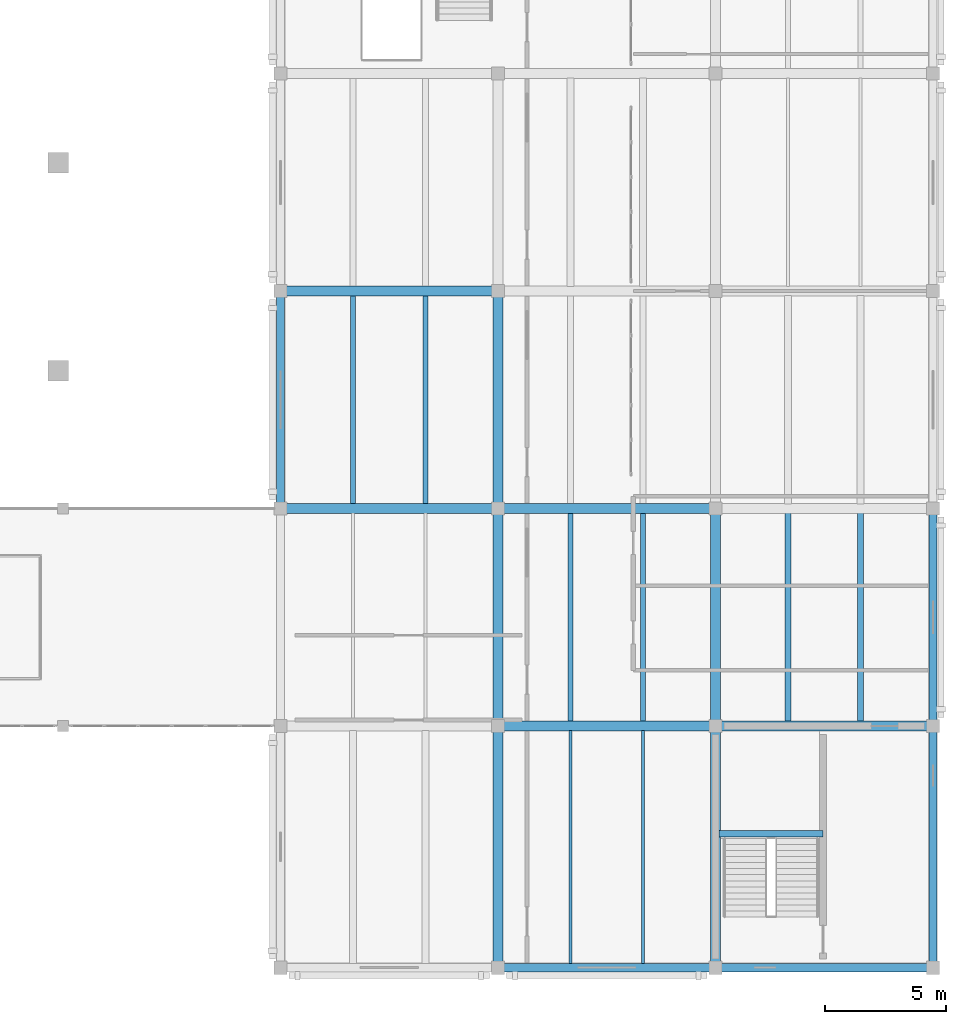
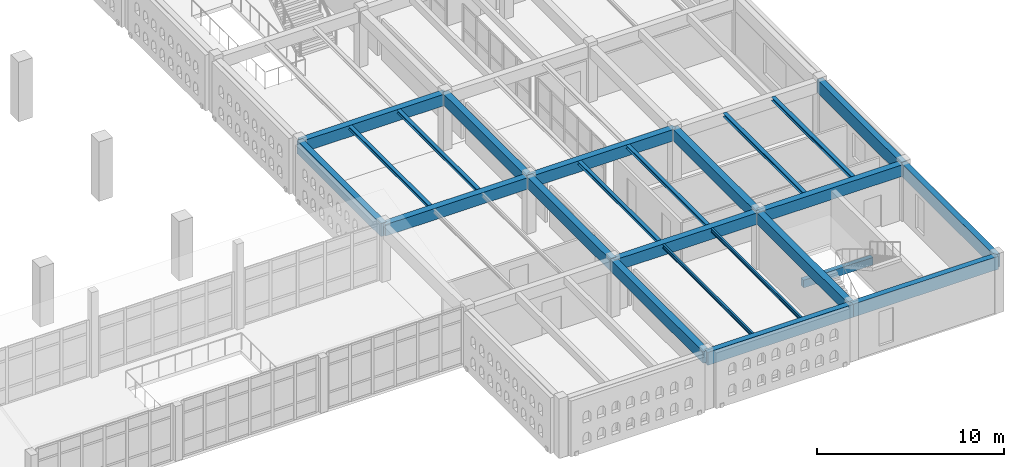
# One storey, part 80 of 156: 24 beams.
"""IFC4 building model written with IfcOpenShell, lengths in metres."""

from ifc_helpers import new_model, si_unit, direction, frame, origin, origin_2d, place, context, subcontext, project, spatial, rectangle, i_section, extrude, material, material_profile, profile_set, type_object, element, save


model = new_model("IFC4")

# Units and contexts
model_context = context("Model", 3, precision=1e-05, world=origin(), true_north=direction((0.0, 1.0)))
body_context = subcontext(model_context, "Body", "Model", "MODEL_VIEW")
ifc_project = project(units=[si_unit("LENGTHUNIT", "METRE"), si_unit("AREAUNIT", "SQUARE_METRE"), si_unit("VOLUMEUNIT", "CUBIC_METRE"), si_unit("PLANEANGLEUNIT", "RADIAN"), si_unit("MASSUNIT", "GRAM", prefix="KILO")], contexts=[model_context])

# Site, building, storey
site_placement = place(None, origin())
site = spatial("IfcSite", under=ifc_project, at=site_placement, CompositionType="ELEMENT")
building_placement = place(site_placement, origin())
building = spatial("IfcBuilding", under=site, at=building_placement, Name="Ornek Quay Market", CompositionType="ELEMENT")
storey_placement = place(building_placement, frame((0.0, 0.0, 4.5)))
storey = spatial("IfcBuildingStorey", under=building, at=storey_placement, Name="L01", CompositionType="ELEMENT", Elevation=4.5)

# Beams
ifc_material_1 = material(Name="Concrete C35/45", Category="concrete")
ifc_material_profile_1 = material_profile(ifc_material_1, rectangle(XDim=0.39990234375, YDim=0.75, at=origin_2d()), Name="RC 400x750", Category="concrete")
ifc_profile_set_1 = profile_set([ifc_material_profile_1], Name="Concrete C35/45")
beam_type_1 = type_object("IfcBeamType", Name="BM-CS-400x750", PredefinedType="BEAM", material=ifc_profile_set_1)
for number, where, z_axis, x_axis, name in (
    (1, (162.0, 20.0, 3.27490234375), (1.0, 0.0, 0.0), (0.0, 1.0, 0.0), "Primary beam B-CS1-029"),
    (2, (171.0, 20.0, 3.27490234375), (1.0, 0.0, 0.0), (0.0, 1.0, 0.0), "Primary beam B-CS1-030"),
    (3, (153.0, 29.0, 3.27490234375), (1.0, 0.0, 0.0), (0.0, 1.0, 0.0), "Primary beam B-CS1-031"),
    (4, (162.0, 29.0, 3.27490234375), (1.0, 0.0, 0.0), (0.0, 1.0, 0.0), "Primary beam B-CS1-032"),
    (5, (153.0, 38.0, 3.27490234375), (1.0, 0.0, 0.0), (0.0, 1.0, 0.0), "Primary beam B-CS1-034"),
):
    element("IfcBeam", number, at=place(storey_placement, frame(where, z_axis=z_axis, x_axis=x_axis)), inside=storey, type_object=beam_type_1, Name=name, PredefinedType="BEAM", context=body_context, shape_type="SweptSolid", body=[
        extrude(rectangle(XDim=0.39990234375, YDim=0.75, at=origin_2d()), origin(), (0.0, 0.0, 1.0), 9.0),
    ])
beam_1_placement = place(storey_placement, frame((162.0, 10.0, 3.27490234375), z_axis=(0.0, 1.0, 0.0), x_axis=(-1.0, 0.0, 0.0)))
element("IfcBeam", 6, at=beam_1_placement, inside=storey, type_object=beam_type_1, Name="Primary beam B-CS1-043", PredefinedType="BEAM", context=body_context, shape_type="SweptSolid", body=[
    extrude(rectangle(XDim=0.39990234375, YDim=0.75, at=origin_2d()), origin(), (0.0, 0.0, 1.0), 10.0),
])
for number, where, z_axis, x_axis, name in (
    (7, (162.0, 20.0, 3.27490234375), (0.0, 1.0, 0.0), (-1.0, 0.0, 0.0), "Primary beam B-CS1-044"),
    (8, (162.0, 29.0, 3.27490234375), (0.0, 1.0, 0.0), (-1.0, 0.0, 0.0), "Primary beam B-CS1-045"),
):
    element("IfcBeam", number, at=place(storey_placement, frame(where, z_axis=z_axis, x_axis=x_axis)), inside=storey, type_object=beam_type_1, Name=name, PredefinedType="BEAM", context=body_context, shape_type="SweptSolid", body=[
        extrude(rectangle(XDim=0.39990234375, YDim=0.75, at=origin_2d()), origin(), (0.0, 0.0, 1.0), 9.0),
    ])
beam_2_placement = place(storey_placement, frame((171.0, 10.0, 3.27490234375), z_axis=(0.0, 1.0, 0.0), x_axis=(-1.0, 0.0, 0.0)))
element("IfcBeam", 9, at=beam_2_placement, inside=storey, type_object=beam_type_1, Name="Primary beam B-CS1-048", PredefinedType="BEAM", context=body_context, shape_type="SweptSolid", body=[
    extrude(rectangle(XDim=0.39990234375, YDim=0.75, at=origin_2d()), origin(), (0.0, 0.0, 1.0), 10.0),
])
beam_3_placement = place(storey_placement, frame((171.0, 20.0, 3.27490234375), z_axis=(0.0, 1.0, 0.0), x_axis=(-1.0, 0.0, 0.0)))
element("IfcBeam", 10, at=beam_3_placement, inside=storey, type_object=beam_type_1, Name="Primary beam B-CS1-049", PredefinedType="BEAM", context=body_context, shape_type="SweptSolid", body=[
    extrude(rectangle(XDim=0.39990234375, YDim=0.75, at=origin_2d()), origin(), (0.0, 0.0, 1.0), 9.0),
])
ifc_material_profile_2 = material_profile(ifc_material_1, rectangle(XDim=0.280029296875, YDim=0.5, at=origin_2d()), Name="RC 280x500", Category="concrete")
ifc_profile_set_2 = profile_set([ifc_material_profile_2], Name="Concrete C35/45")
beam_type_2 = type_object("IfcBeamType", Name="BM-SEC-280x500", PredefinedType="JOIST", material=ifc_profile_set_2)
beam_4_placement = place(storey_placement, frame((171.14990234375, 15.5419921875, 1.534912109375), z_axis=(1.0, 0.0, 0.0), x_axis=(0.0, 1.0, 0.0)))
element("IfcBeam", 11, at=beam_4_placement, inside=storey, type_object=beam_type_2, Name="Stair landing beam BL-15", PredefinedType="JOIST", context=body_context, shape_type="SweptSolid", body=[
    extrude(rectangle(XDim=0.280029296875, YDim=0.5, at=origin_2d()), origin(), (0.0, 0.0, 1.0), 4.300048828125),
])
ifc_material_2 = material(Name="Concrete C40/50", Category="concrete")
ifc_material_profile_3 = material_profile(ifc_material_2, rectangle(XDim=0.35009765625, YDim=0.85009765625, at=origin_2d()), Name="RC 350x850", Category="concrete")
ifc_profile_set_3 = profile_set([ifc_material_profile_3], Name="Concrete C40/50")
beam_type_3 = type_object("IfcBeamType", Name="BM-SPN-350x850", PredefinedType="SPANDREL", material=ifc_profile_set_3)
for number, where, z_axis, x_axis, name in (
    (12, (162.0, 10.0, 3.22509765625), (1.0, 0.0, 0.0), (0.0, 1.0, 0.0), "Primary beam B-SP1-132"),
    (13, (171.0, 10.0, 3.22509765625), (1.0, 0.0, 0.0), (0.0, 1.0, 0.0), "Primary beam B-SP1-133"),
    (14, (153.0, 29.0, 3.22509765625), (0.0, 1.0, 0.0), (-1.0, 0.0, 0.0), "Primary beam B-SP1-136"),
):
    element("IfcBeam", number, at=place(storey_placement, frame(where, z_axis=z_axis, x_axis=x_axis)), inside=storey, type_object=beam_type_3, Name=name, PredefinedType="SPANDREL", context=body_context, shape_type="SweptSolid", body=[
        extrude(rectangle(XDim=0.35009765625, YDim=0.85009765625, at=origin_2d()), origin(), (0.0, 0.0, 1.0), 9.0),
    ])
beam_5_placement = place(storey_placement, frame((180.0, 10.0, 3.22509765625), z_axis=(0.0, 1.0, 0.0), x_axis=(-1.0, 0.0, 0.0)))
element("IfcBeam", 15, at=beam_5_placement, inside=storey, type_object=beam_type_3, Name="Primary beam B-SP1-140", PredefinedType="SPANDREL", context=body_context, shape_type="SweptSolid", body=[
    extrude(rectangle(XDim=0.35009765625, YDim=0.85009765625, at=origin_2d()), origin(), (0.0, 0.0, 1.0), 10.0),
])
beam_6_placement = place(storey_placement, frame((180.0, 20.0, 3.22509765625), z_axis=(0.0, 1.0, 0.0), x_axis=(-1.0, 0.0, 0.0)))
element("IfcBeam", 16, at=beam_6_placement, inside=storey, type_object=beam_type_3, Name="Primary beam B-SP1-141", PredefinedType="SPANDREL", context=body_context, shape_type="SweptSolid", body=[
    extrude(rectangle(XDim=0.35009765625, YDim=0.85009765625, at=origin_2d()), origin(), (0.0, 0.0, 1.0), 9.0),
])
ifc_material_3 = material(Name="Steel S355", Category="steel")
ifc_material_profile_4 = material_profile(ifc_material_3, i_section(OverallWidth=0.219970703125, OverallDepth=0.2099609375, WebThickness=0.007080078125, FlangeThickness=0.010986328125, FilletRadius=0.01806640625, at=origin_2d()), Name="HEA 220", Category="steel")
ifc_profile_set_4 = profile_set([ifc_material_profile_4], Name="Steel S355")
beam_type_4 = type_object("IfcBeamType", Name="BM-STL-HEA220", PredefinedType="BEAM", material=ifc_profile_set_4)
for number, where, z_axis, x_axis, name in (
    (17, (156.0, 29.19189453125, 3.544921875), (0.0, 1.0, 0.0), (-1.0, 0.0, 0.0), "Secondary joist SB-13-023"),
    (18, (159.0, 29.19189453125, 3.544921875), (0.0, 1.0, 0.0), (-1.0, 0.0, 0.0), "Secondary joist SB-13-024"),
    (19, (165.0, 20.19189453125, 3.544921875), (0.0, 1.0, 0.0), (-1.0, 0.0, 0.0), "Secondary joist SB-13-025"),
    (20, (168.0, 20.19189453125, 3.544921875), (0.0, 1.0, 0.0), (-1.0, 0.0, 0.0), "Secondary joist SB-13-026"),
):
    element("IfcBeam", number, at=place(storey_placement, frame(where, z_axis=z_axis, x_axis=x_axis)), inside=storey, type_object=beam_type_4, Name=name, PredefinedType="BEAM", context=body_context, shape_type="SweptSolid", body=[
        extrude(i_section(OverallWidth=0.219970703125, OverallDepth=0.2099609375, WebThickness=0.007080078125, FlangeThickness=0.010986328125, FilletRadius=0.01806640625, at=origin_2d()), origin(), (0.0, 0.0, 1.0), 8.6162109375),
    ])
ifc_material_profile_5 = material_profile(ifc_material_3, i_section(OverallWidth=0.239990234375, OverallDepth=0.22998046875, WebThickness=0.007568359375, FlangeThickness=0.011962890625, FilletRadius=0.02099609375, at=origin_2d()), Name="HEA 240", Category="steel")
ifc_profile_set_5 = profile_set([ifc_material_profile_5], Name="Steel S355")
beam_type_5 = type_object("IfcBeamType", Name="BM-STL-HEA240", PredefinedType="BEAM", material=ifc_profile_set_5)
for number, where, z_axis, x_axis, name in (
    (21, (174.0, 20.19189453125, 3.534912109375), (0.0, 1.0, 0.0), (-1.0, 0.0, 0.0), "Secondary joist SB-14-027"),
    (22, (177.0, 20.19189453125, 3.534912109375), (0.0, 1.0, 0.0), (-1.0, 0.0, 0.0), "Secondary joist SB-14-028"),
):
    element("IfcBeam", number, at=place(storey_placement, frame(where, z_axis=z_axis, x_axis=x_axis)), inside=storey, type_object=beam_type_5, Name=name, PredefinedType="BEAM", context=body_context, shape_type="SweptSolid", body=[
        extrude(i_section(OverallWidth=0.239990234375, OverallDepth=0.22998046875, WebThickness=0.007568359375, FlangeThickness=0.011962890625, FilletRadius=0.02099609375, at=origin_2d()), origin(), (0.0, 0.0, 1.0), 8.6162109375),
    ])
ifc_material_profile_6 = material_profile(ifc_material_3, i_section(OverallWidth=0.1201171875, OverallDepth=0.239990234375, WebThickness=0.006103515625, FlangeThickness=0.009765625, FilletRadius=0.014892578125, at=origin_2d()), Name="IPE 240", Category="steel")
ifc_profile_set_6 = profile_set([ifc_material_profile_6], Name="Steel S355")
beam_type_6 = type_object("IfcBeamType", Name="BM-STL-IPE240", PredefinedType="JOIST", material=ifc_profile_set_6)
for number, where, z_axis, x_axis, name in (
    (23, (165.0, 10.1669921875, 3.530029296875), (0.0, 1.0, 0.0), (-1.0, 0.0, 0.0), "Secondary joist SB-04-049"),
    (24, (168.0, 10.1669921875, 3.530029296875), (0.0, 1.0, 0.0), (-1.0, 0.0, 0.0), "Secondary joist SB-04-050"),
):
    element("IfcBeam", number, at=place(storey_placement, frame(where, z_axis=z_axis, x_axis=x_axis)), inside=storey, type_object=beam_type_6, Name=name, PredefinedType="JOIST", context=body_context, shape_type="SweptSolid", body=[
        extrude(i_section(OverallWidth=0.1201171875, OverallDepth=0.239990234375, WebThickness=0.006103515625, FlangeThickness=0.009765625, FilletRadius=0.014892578125, at=origin_2d()), origin(), (0.0, 0.0, 1.0), 9.64111328125),
    ])

save(model, "model.ifc")
